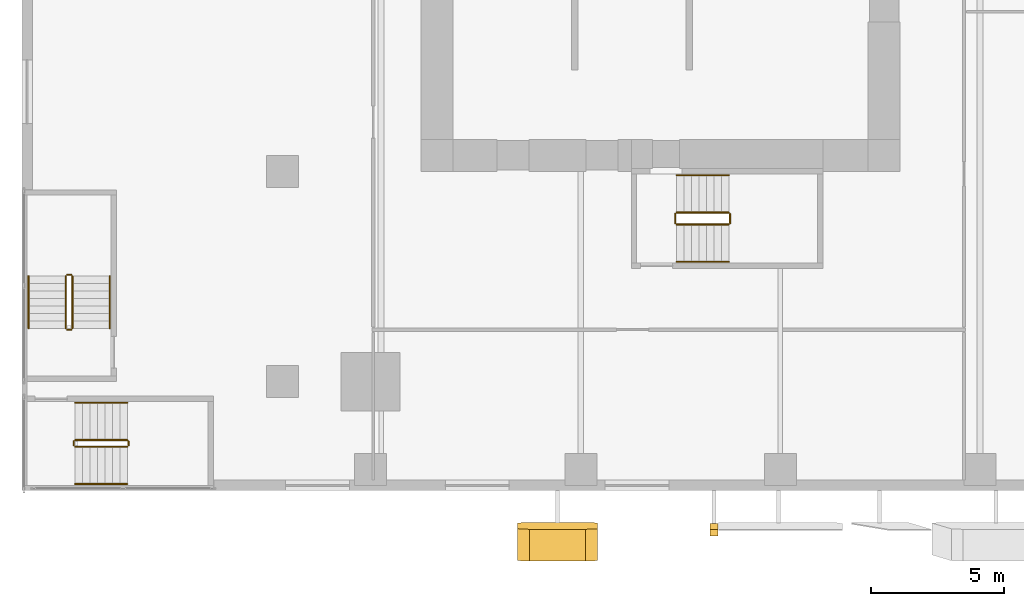
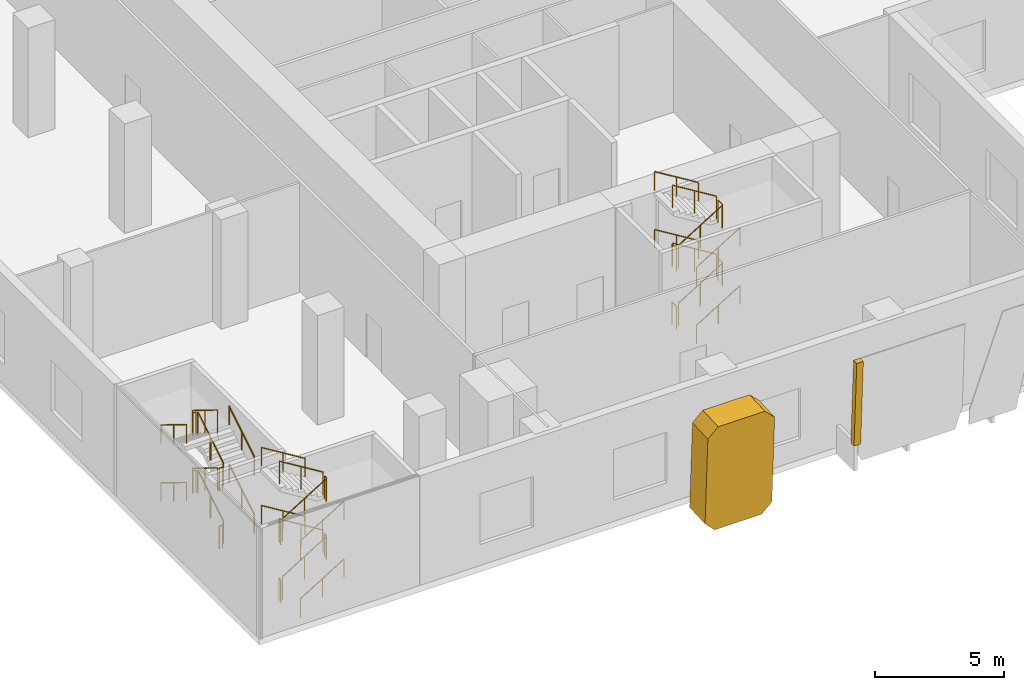
# One storey, part 17 of 23: 36 railings, 2 coverings.
"""IFC4 building model written with IfcOpenShell, lengths in metres."""

from ifc_helpers import new_model, si_unit, direction, frame, origin, origin_2d, place, context, subcontext, project, spatial, polyline, circle, outline, extrude, source, transform, mapped, material, layer, layer_set, type_object, element, save


model = new_model("IFC4")

# Units and contexts
model_context = context("Model", 3, precision=1e-05, world=origin(), true_north=direction((0.0, 1.0)))
body_context = subcontext(model_context, "Body", "Model", "MODEL_VIEW")
ifc_project = project(units=[si_unit("LENGTHUNIT", "METRE"), si_unit("AREAUNIT", "SQUARE_METRE"), si_unit("VOLUMEUNIT", "CUBIC_METRE"), si_unit("PLANEANGLEUNIT", "RADIAN"), si_unit("MASSUNIT", "GRAM", prefix="KILO")], contexts=[model_context])

# Site, building, storey
site_placement = place(None, origin())
site = spatial("IfcSite", under=ifc_project, at=site_placement, CompositionType="ELEMENT")
building_placement = place(site_placement, origin())
building = spatial("IfcBuilding", under=site, at=building_placement, Name="Khomas Fold Tower", CompositionType="ELEMENT")
storey_placement = place(building_placement, frame((0.0, 0.0, 13.0)))
storey = spatial("IfcBuildingStorey", under=building, at=storey_placement, Name="L02", CompositionType="ELEMENT", Elevation=13.0)

# Coverings
ifc_material_1 = material(Name="Natural stone cladding", Category="masonry")
ifc_layer_1 = layer(ifc_material_1, 0.25)
ifc_layer_set_1 = layer_set([ifc_layer_1], Name="Natural stone cladding")
covering_type_1 = type_object("IfcCoveringType", Name="SK-Karibib marble stone mullion", PredefinedType="CLADDING", material=ifc_layer_set_1)
covering_1_placement = place(storey_placement, frame((17.14990234375, -1.24072265625, 1.0), z_axis=(0.0, 0.998630769842, 0.052312384049), x_axis=(-1.0, 0.0, 0.0)))
element("IfcCovering", 1, at=covering_1_placement, inside=storey, type_object=covering_type_1, Name="OUTER SKIN mullion L02 SM101-2", PredefinedType="CLADDING", context=body_context, shape_type="SweptSolid", body=[
    extrude(outline(polyline([(0.0, 0.0), (0.2998046875, 0.0), (0.2998046875, 4.055601880528945), (0.0, 4.055601880528945), (0.0, 0.0)])), origin(), (0.0, 0.0, -1.0), 0.25),
])
ifc_material_2 = material(Name="Natural stone cladding", Category="masonry")
ifc_layer_2 = layer(ifc_material_2, 1.199951171875)
ifc_layer_set_2 = layer_set([ifc_layer_2], Name="Natural stone cladding")
covering_type_2 = type_object("IfcCoveringType", Name="SK-Karibib marble stone panel", PredefinedType="CLADDING", material=ifc_layer_set_2)
covering_2_placement = place(storey_placement, frame((10.080078125, -1.452880859375, 5.050048828125), z_axis=(0.0, 0.99862999793, 0.052327117584), x_axis=(1.0, 0.0, 0.0)))
element("IfcCovering", 2, at=covering_2_placement, inside=storey, type_object=covering_type_2, Name="OUTER SKIN leaf L02 SS03-1", PredefinedType="CLADDING", context=body_context, shape_type="SweptSolid", body=[
    extrude(outline(polyline([(0.0, 0.0), (2.099853515625, 0.0), (2.5498046875, 0.45057392983162625), (2.5498046875, 4.6064046108519126), (2.099853515625, 5.056978540683538), (0.0, 5.056978540683538), (-0.4501953125, 4.6064046108519126), (-0.4501953125, 0.45057392983162625), (0.0, 0.0)])), origin(), (0.0, 0.0, -1.0), 1.199951171875),
])

# Railings
ifc_material_3 = material(Name="Steel balustrade", Category="steel")
railing_type_1 = type_object("IfcRailingType", Name="Stair guard", PredefinedType="GUARDRAIL", material=ifc_material_3)
shared_shape_1 = source(origin(), body_context, "Body", "SweptSolid", [
    extrude(circle(Radius=0.02392578125, at=origin_2d()), frame((0.0, 0.0, 1.076171875), z_axis=(0.0, 1.0, 0.0), x_axis=(-1.0, 0.0, 0.0)), (0.0, 0.0, 1.0), 0.349853515625),
    extrude(circle(Radius=0.02099609375, at=origin_2d()), origin(), (0.0, 0.0, 1.0), 1.052001953125),
    extrude(circle(Radius=0.02099609375, at=origin_2d()), frame((0.0, 0.349853515625, 0.0)), (0.0, 0.0, 1.0), 1.052001953125),
])
for number, where, name in (
    (3, (17.610107421875, 10.050048828125, 1.375), "L02 ST2 stair guard 2"),
    (4, (15.550048828125, 10.050048828125, 2.75), "L02 ST2 stair guard 4"),
    (5, (17.610107421875, 10.050048828125, 4.125), "L02 ST2 stair guard 6"),
    (6, (15.550048828125, 10.050048828125, 0.0), "L02 ST2 stair guard 8"),
):
    element("IfcRailing", number, at=place(storey_placement, frame(where)), inside=storey, type_object=railing_type_1, Name=name, PredefinedType="GUARDRAIL", context=body_context, shape_type="MappedRepresentation", body=[
        mapped(shared_shape_1, transform((0.0, 0.0, 0.0))),
    ])
shared_shape_2 = source(origin(), body_context, "Body", "SweptSolid", [
    extrude(circle(Radius=0.02392578125, at=origin_2d()), frame((0.0, 0.0, 1.076171875), z_axis=(0.852240978134, 0.0, 0.523149419562), x_axis=(0.0, 1.0, 0.0)), (0.0, 0.0, 1.0), 2.2998046875),
    extrude(circle(Radius=0.02099609375, at=origin_2d()), origin(), (0.0, 0.0, 1.0), 1.052001953125),
    extrude(circle(Radius=0.02099609375, at=origin_2d()), frame((0.97998046875, 0.0, 0.6015625)), (0.0, 0.0, 1.0), 1.052001953125),
    extrude(circle(Radius=0.02099609375, at=origin_2d()), frame((1.9599609375, 0.0, 1.203125)), (0.0, 0.0, 1.0), 1.052001953125),
])
for number, where, name in (
    (7, (15.60009765625, 10.0, 0.171875), "L02 ST2 stair guard 1"),
    (8, (15.60009765625, 10.0, 2.921875), "L02 ST2 stair guard 5"),
    (9, (-7.0, 1.64990234375, 0.171875), "L02 PS1 stair guard 1"),
    (10, (-7.0, 1.64990234375, 2.921875), "L02 PS1 stair guard 5"),
):
    element("IfcRailing", number, at=place(storey_placement, frame(where)), inside=storey, type_object=railing_type_1, Name=name, PredefinedType="GUARDRAIL", context=body_context, shape_type="MappedRepresentation", body=[
        mapped(shared_shape_2, transform((0.0, 0.0, 0.0))),
    ])
shared_shape_3 = source(origin(), body_context, "Body", "SweptSolid", [
    extrude(circle(Radius=0.02392578125, at=origin_2d()), frame((0.0, 0.0, 1.076171875), z_axis=(-0.852240978134, 0.0, 0.523149419562), x_axis=(0.0, -1.0, 0.0)), (0.0, 0.0, 1.0), 2.2998046875),
    extrude(circle(Radius=0.02099609375, at=origin_2d()), origin(), (0.0, 0.0, 1.0), 1.052001953125),
    extrude(circle(Radius=0.02099609375, at=origin_2d()), frame((-0.97998046875, 0.0, 0.6015625)), (0.0, 0.0, 1.0), 1.052001953125),
    extrude(circle(Radius=0.02099609375, at=origin_2d()), frame((-1.9599609375, 0.0, 1.203125)), (0.0, 0.0, 1.0), 1.052001953125),
])
for number, where, name in (
    (11, (17.56005859375, 10.449951171875, 1.546875), "L02 ST2 stair guard 3"),
    (12, (17.56005859375, 10.449951171875, 4.296875), "L02 ST2 stair guard 7"),
    (13, (-5.0400390625, 1.89990234375, 1.546875), "L02 PS1 stair guard 3"),
    (14, (-5.0400390625, 1.89990234375, 4.296875), "L02 PS1 stair guard 7"),
):
    element("IfcRailing", number, at=place(storey_placement, frame(where)), inside=storey, type_object=railing_type_1, Name=name, PredefinedType="GUARDRAIL", context=body_context, shape_type="MappedRepresentation", body=[
        mapped(shared_shape_3, transform((0.0, 0.0, 0.0))),
    ])
ifc_material_4 = material(Name="Steel handrail", Category="steel")
railing_type_2 = type_object("IfcRailingType", Name="Stair handrail", PredefinedType="HANDRAIL", material=ifc_material_4)
shared_shape_4 = source(origin(), body_context, "Body", "SweptSolid", [
    extrude(circle(Radius=0.02392578125, at=origin_2d()), frame((0.0, 0.0, 0.8759765625), z_axis=(0.852240978134, 0.0, 0.523149419562), x_axis=(0.0, 1.0, 0.0)), (0.0, 0.0, 1.0), 2.2998046875),
    extrude(circle(Radius=0.02099609375, at=origin_2d()), origin(), (0.0, 0.0, 1.0), 0.851806640625),
    extrude(circle(Radius=0.02099609375, at=origin_2d()), frame((0.97998046875, 0.0, 0.6015625)), (0.0, 0.0, 1.0), 0.851806640625),
    extrude(circle(Radius=0.02099609375, at=origin_2d()), frame((1.9599609375, 0.0, 1.203125)), (0.0, 0.0, 1.0), 0.851806640625),
])
for number, where, name in (
    (15, (15.60009765625, 8.60009765625, 0.171875), "L02 ST2 stair handrail 1"),
    (16, (15.60009765625, 8.60009765625, 2.921875), "L02 ST2 stair handrail 3"),
    (17, (-7.0, 0.25, 0.171875), "L02 PS1 stair handrail 1"),
    (18, (-7.0, 0.25, 2.921875), "L02 PS1 stair handrail 3"),
):
    element("IfcRailing", number, at=place(storey_placement, frame(where)), inside=storey, type_object=railing_type_2, Name=name, PredefinedType="HANDRAIL", context=body_context, shape_type="MappedRepresentation", body=[
        mapped(shared_shape_4, transform((0.0, 0.0, 0.0))),
    ])
shared_shape_5 = source(origin(), body_context, "Body", "SweptSolid", [
    extrude(circle(Radius=0.02392578125, at=origin_2d()), frame((0.0, 0.0, 0.8759765625), z_axis=(-0.852240978134, 0.0, 0.523149419562), x_axis=(0.0, -1.0, 0.0)), (0.0, 0.0, 1.0), 2.2998046875),
    extrude(circle(Radius=0.02099609375, at=origin_2d()), origin(), (0.0, 0.0, 1.0), 0.851806640625),
    extrude(circle(Radius=0.02099609375, at=origin_2d()), frame((-0.97998046875, 0.0, 0.6015625)), (0.0, 0.0, 1.0), 0.851806640625),
    extrude(circle(Radius=0.02099609375, at=origin_2d()), frame((-1.9599609375, 0.0, 1.203125)), (0.0, 0.0, 1.0), 0.851806640625),
])
for number, where, name in (
    (19, (17.56005859375, 11.85009765625, 1.546875), "L02 ST2 stair handrail 2"),
    (20, (17.56005859375, 11.85009765625, 4.296875), "L02 ST2 stair handrail 4"),
    (21, (-5.0400390625, 3.300048828125, 1.546875), "L02 PS1 stair handrail 2"),
    (22, (-5.0400390625, 3.300048828125, 4.296875), "L02 PS1 stair handrail 4"),
):
    element("IfcRailing", number, at=place(storey_placement, frame(where)), inside=storey, type_object=railing_type_2, Name=name, PredefinedType="HANDRAIL", context=body_context, shape_type="MappedRepresentation", body=[
        mapped(shared_shape_5, transform((0.0, 0.0, 0.0))),
    ])
shared_shape_6 = source(origin(), body_context, "Body", "SweptSolid", [
    extrude(circle(Radius=0.02392578125, at=origin_2d()), frame((0.0, 0.0, 1.076171875), z_axis=(0.0, 1.0, 0.0), x_axis=(-1.0, 0.0, 0.0)), (0.0, 0.0, 1.0), 0.150146484375),
    extrude(circle(Radius=0.02099609375, at=origin_2d()), origin(), (0.0, 0.0, 1.0), 1.052001953125),
    extrude(circle(Radius=0.02099609375, at=origin_2d()), frame((0.0, 0.150146484375, 0.0)), (0.0, 0.0, 1.0), 1.052001953125),
])
for number, where, name in (
    (23, (-4.989990234375, 1.699951171875, 1.375), "L02 PS1 stair guard 2"),
    (24, (-7.050048828125, 1.699951171875, 2.75), "L02 PS1 stair guard 4"),
    (25, (-4.989990234375, 1.699951171875, 4.125), "L02 PS1 stair guard 6"),
    (26, (-7.050048828125, 1.699951171875, 0.0), "L02 PS1 stair guard 8"),
):
    element("IfcRailing", number, at=place(storey_placement, frame(where)), inside=storey, type_object=railing_type_1, Name=name, PredefinedType="GUARDRAIL", context=body_context, shape_type="MappedRepresentation", body=[
        mapped(shared_shape_6, transform((0.0, 0.0, 0.0))),
    ])
shared_shape_7 = source(origin(), body_context, "Body", "SweptSolid", [
    extrude(circle(Radius=0.02392578125, at=origin_2d()), frame((0.0, 0.0, 1.076171875), z_axis=(-1.0, 0.0, 0.0), x_axis=(0.0, -1.0, 0.0)), (0.0, 0.0, 1.0), 0.150146484375),
    extrude(circle(Radius=0.02099609375, at=origin_2d()), origin(), (0.0, 0.0, 1.0), 1.052001953125),
    extrude(circle(Radius=0.02099609375, at=origin_2d()), frame((-0.150146484375, 0.0, 0.0)), (0.0, 0.0, 1.0), 1.052001953125),
])
for number, where, name in (
    (27, (-7.14990234375, 8.110107421875, 1.375), "L02 PS2 stair guard 2"),
    (28, (-7.14990234375, 6.050048828125, 2.75), "L02 PS2 stair guard 4"),
    (29, (-7.14990234375, 8.110107421875, 4.125), "L02 PS2 stair guard 6"),
    (30, (-7.14990234375, 6.050048828125, 0.0), "L02 PS2 stair guard 8"),
):
    element("IfcRailing", number, at=place(storey_placement, frame(where)), inside=storey, type_object=railing_type_1, Name=name, PredefinedType="GUARDRAIL", context=body_context, shape_type="MappedRepresentation", body=[
        mapped(shared_shape_7, transform((0.0, 0.0, 0.0))),
    ])
shared_shape_8 = source(origin(), body_context, "Body", "SweptSolid", [
    extrude(circle(Radius=0.02392578125, at=origin_2d()), frame((0.0, 0.0, 1.076171875), z_axis=(0.0, 0.852240978134, 0.523149419562), x_axis=(-1.0, 0.0, 0.0)), (0.0, 0.0, 1.0), 2.2998046875),
    extrude(circle(Radius=0.02099609375, at=origin_2d()), origin(), (0.0, 0.0, 1.0), 1.052001953125),
    extrude(circle(Radius=0.02099609375, at=origin_2d()), frame((0.0, 0.97998046875, 0.6015625)), (0.0, 0.0, 1.0), 1.052001953125),
    extrude(circle(Radius=0.02099609375, at=origin_2d()), frame((0.0, 1.9599609375, 1.203125)), (0.0, 0.0, 1.0), 1.052001953125),
])
for number, where, name in (
    (31, (-7.10009765625, 6.10009765625, 0.171875), "L02 PS2 stair guard 1"),
    (32, (-7.10009765625, 6.10009765625, 2.921875), "L02 PS2 stair guard 5"),
):
    element("IfcRailing", number, at=place(storey_placement, frame(where)), inside=storey, type_object=railing_type_1, Name=name, PredefinedType="GUARDRAIL", context=body_context, shape_type="MappedRepresentation", body=[
        mapped(shared_shape_8, transform((0.0, 0.0, 0.0))),
    ])
shared_shape_9 = source(origin(), body_context, "Body", "SweptSolid", [
    extrude(circle(Radius=0.02392578125, at=origin_2d()), frame((0.0, 0.0, 1.076171875), z_axis=(0.0, -0.852240978134, 0.523149419562), x_axis=(1.0, 0.0, 0.0)), (0.0, 0.0, 1.0), 2.2998046875),
    extrude(circle(Radius=0.02099609375, at=origin_2d()), origin(), (0.0, 0.0, 1.0), 1.052001953125),
    extrude(circle(Radius=0.02099609375, at=origin_2d()), frame((0.0, -0.97998046875, 0.6015625)), (0.0, 0.0, 1.0), 1.052001953125),
    extrude(circle(Radius=0.02099609375, at=origin_2d()), frame((0.0, -1.9599609375, 1.203125)), (0.0, 0.0, 1.0), 1.052001953125),
])
for number, where, name in (
    (33, (-7.35009765625, 8.06005859375, 1.546875), "L02 PS2 stair guard 3"),
    (34, (-7.35009765625, 8.06005859375, 4.296875), "L02 PS2 stair guard 7"),
):
    element("IfcRailing", number, at=place(storey_placement, frame(where)), inside=storey, type_object=railing_type_1, Name=name, PredefinedType="GUARDRAIL", context=body_context, shape_type="MappedRepresentation", body=[
        mapped(shared_shape_9, transform((0.0, 0.0, 0.0))),
    ])
shared_shape_10 = source(origin(), body_context, "Body", "SweptSolid", [
    extrude(circle(Radius=0.02392578125, at=origin_2d()), frame((0.0, 0.0, 0.8759765625), z_axis=(0.0, 0.852240978134, 0.523149419562), x_axis=(-1.0, 0.0, 0.0)), (0.0, 0.0, 1.0), 2.2998046875),
    extrude(circle(Radius=0.02099609375, at=origin_2d()), origin(), (0.0, 0.0, 1.0), 0.851806640625),
    extrude(circle(Radius=0.02099609375, at=origin_2d()), frame((0.0, 0.97998046875, 0.6015625)), (0.0, 0.0, 1.0), 0.851806640625),
    extrude(circle(Radius=0.02099609375, at=origin_2d()), frame((0.0, 1.9599609375, 1.203125)), (0.0, 0.0, 1.0), 0.851806640625),
])
for number, where, name in (
    (35, (-5.699951171875, 6.10009765625, 0.171875), "L02 PS2 stair handrail 1"),
    (36, (-5.699951171875, 6.10009765625, 2.921875), "L02 PS2 stair handrail 3"),
):
    element("IfcRailing", number, at=place(storey_placement, frame(where)), inside=storey, type_object=railing_type_2, Name=name, PredefinedType="HANDRAIL", context=body_context, shape_type="MappedRepresentation", body=[
        mapped(shared_shape_10, transform((0.0, 0.0, 0.0))),
    ])
shared_shape_11 = source(origin(), body_context, "Body", "SweptSolid", [
    extrude(circle(Radius=0.02392578125, at=origin_2d()), frame((0.0, 0.0, 0.8759765625), z_axis=(0.0, -0.852240978134, 0.523149419562), x_axis=(1.0, 0.0, 0.0)), (0.0, 0.0, 1.0), 2.2998046875),
    extrude(circle(Radius=0.02099609375, at=origin_2d()), origin(), (0.0, 0.0, 1.0), 0.851806640625),
    extrude(circle(Radius=0.02099609375, at=origin_2d()), frame((0.0, -0.97998046875, 0.6015625)), (0.0, 0.0, 1.0), 0.851806640625),
    extrude(circle(Radius=0.02099609375, at=origin_2d()), frame((0.0, -1.9599609375, 1.203125)), (0.0, 0.0, 1.0), 0.851806640625),
])
for number, where, name in (
    (37, (-8.75, 8.06005859375, 1.546875), "L02 PS2 stair handrail 2"),
    (38, (-8.75, 8.06005859375, 4.296875), "L02 PS2 stair handrail 4"),
):
    element("IfcRailing", number, at=place(storey_placement, frame(where)), inside=storey, type_object=railing_type_2, Name=name, PredefinedType="HANDRAIL", context=body_context, shape_type="MappedRepresentation", body=[
        mapped(shared_shape_11, transform((0.0, 0.0, 0.0))),
    ])

save(model, "model.ifc")
